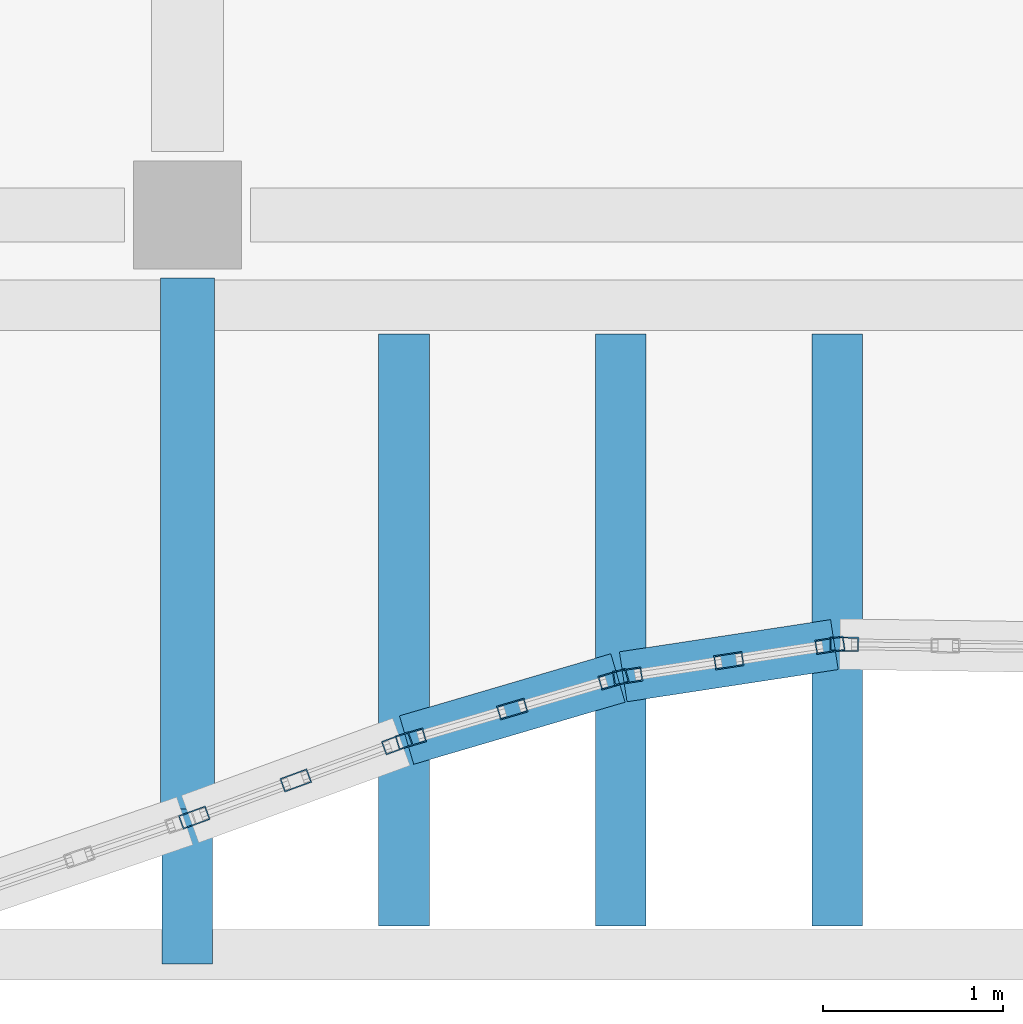
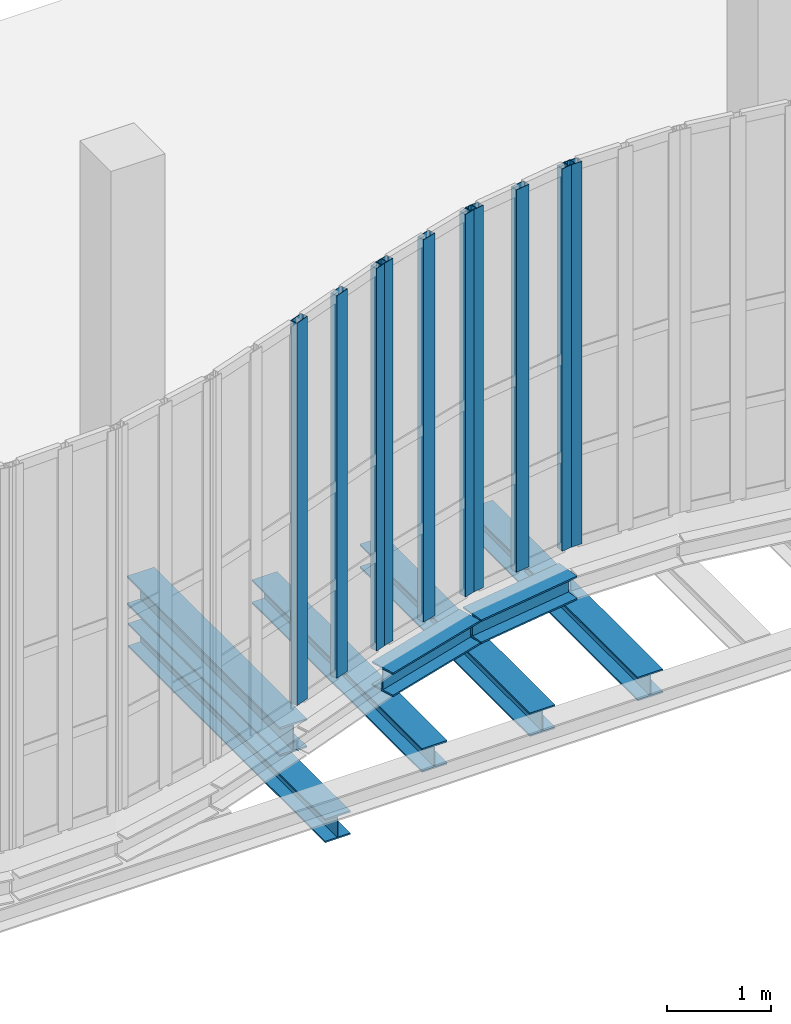
# One storey, part 25 of 105: 10 members, 7 beams, 4 elements without a shape of their own.
"""IFC4 building model written with IfcOpenShell, lengths in metres."""

from ifc_helpers import new_model, si_unit, direction, frame, origin, origin_2d, place, context, subcontext, project, spatial, hollow_rectangle, i_section, extrude, material, layer, layer_set, material_profile, profile_set, type_object, element, aggregate, save


model = new_model("IFC4")

# Units and contexts
model_context = context("Model", 3, precision=1e-05, world=origin(), true_north=direction((0.0, 1.0)))
body_context = subcontext(model_context, "Body", "Model", "MODEL_VIEW")
ifc_project = project(units=[si_unit("LENGTHUNIT", "METRE"), si_unit("AREAUNIT", "SQUARE_METRE"), si_unit("VOLUMEUNIT", "CUBIC_METRE"), si_unit("PLANEANGLEUNIT", "RADIAN"), si_unit("MASSUNIT", "GRAM", prefix="KILO"), si_unit("THERMODYNAMICTEMPERATUREUNIT", "KELVIN"), si_unit("POWERUNIT", "WATT")], contexts=[model_context])

# Site, building, storey
site_placement = place(None, origin())
site = spatial("IfcSite", under=ifc_project, at=site_placement, CompositionType="ELEMENT")
building_placement = place(site_placement, origin())
building = spatial("IfcBuilding", under=site, at=building_placement, Name="Kaldorven Railside Theatre", CompositionType="ELEMENT")
storey_placement = place(building_placement, frame((0.0, 0.0, 9.89990234375)))
storey = spatial("IfcBuildingStorey", under=building, at=storey_placement, Name="L02", CompositionType="ELEMENT", Elevation=9.89990234375)

# Beams
ifc_material_1 = material(Name="Steel S355", Category="steel")
ifc_material_profile_1 = material_profile(ifc_material_1, i_section(OverallWidth=0.280029296875, OverallDepth=0.280029296875, WebThickness=0.010498046875, FlangeThickness=0.01806640625, at=origin_2d()), Name="HEB 280")
ifc_profile_set_1 = profile_set([ifc_material_profile_1], Name="Steel S355")
beam_type_1 = type_object("IfcBeamType", Name="BM-HEB280", PredefinedType="SPANDREL", material=ifc_profile_set_1)
beam_1_placement = place(storey_placement, frame((80.0, 15.050048828125, -0.97998046875), z_axis=(0.0, 1.0, 0.0), x_axis=(-1.0, 0.0, 0.0)))
element("IfcBeam", 1, at=beam_1_placement, inside=storey, type_object=beam_type_1, Name="L02 Sinusoidal Lower Cantilever Girder FOB-K019", PredefinedType="SPANDREL", context=body_context, shape_type="SweptSolid", body=[
    extrude(i_section(OverallWidth=0.280029296875, OverallDepth=0.280029296875, WebThickness=0.010498046875, FlangeThickness=0.01806640625, at=origin_2d()), origin(), (0.0, 0.0, 1.0), 3.800048828125),
])
beam_2_placement = place(storey_placement, frame((81.21435546875, 16.28955078125, -0.419921875), z_axis=(0.959413259183, 0.282003897321, 0.0), x_axis=(-0.282003897321, 0.959413259183, 0.0)))
element("IfcBeam", 2, at=beam_2_placement, inside=storey, type_object=beam_type_1, Name="L02 Sinusoidal Flute Edge Spandrel FSB-110", PredefinedType="SPANDREL", context=body_context, shape_type="SweptSolid", body=[
    extrude(i_section(OverallWidth=0.280029296875, OverallDepth=0.280029296875, WebThickness=0.010498046875, FlangeThickness=0.01806640625, at=origin_2d()), origin(), (0.0, 0.0, 1.0), 1.220703125),
])
beam_3_placement = place(storey_placement, frame((81.199951171875, 15.260009765625, -0.699951171875), z_axis=(0.0, 1.0, 0.0), x_axis=(-1.0, 0.0, 0.0)))
element("IfcBeam", 3, at=beam_3_placement, inside=storey, type_object=beam_type_1, Name="L02 Sinusoidal Diaphragm Rib Outrigger FOB-M110", PredefinedType="SPANDREL", context=body_context, shape_type="SweptSolid", body=[
    extrude(i_section(OverallWidth=0.280029296875, OverallDepth=0.280029296875, WebThickness=0.010498046875, FlangeThickness=0.01806640625, at=origin_2d()), origin(), (0.0, 0.0, 1.0), 3.280029296875),
])
beam_4_placement = place(storey_placement, frame((82.414794921875, 16.640380859375, -0.419921875), z_axis=(0.988573454696, 0.150739923943, 0.0), x_axis=(-0.150739923943, 0.988573454696, 0.0)))
element("IfcBeam", 4, at=beam_4_placement, inside=storey, type_object=beam_type_1, Name="L02 Sinusoidal Flute Edge Spandrel FSB-111", PredefinedType="SPANDREL", context=body_context, shape_type="SweptSolid", body=[
    extrude(i_section(OverallWidth=0.280029296875, OverallDepth=0.280029296875, WebThickness=0.010498046875, FlangeThickness=0.01806640625, at=origin_2d()), origin(), (0.0, 0.0, 1.0), 1.183837890625),
])
for number, where, z_axis, x_axis, name in (
    (5, (82.39990234375, 15.260009765625, -0.699951171875), (0.0, 1.0, 0.0), (-1.0, 0.0, 0.0), "L02 Sinusoidal Diaphragm Rib Outrigger FOB-M111"),
    (6, (83.60009765625, 15.260009765625, -0.699951171875), (0.0, 1.0, 0.0), (-1.0, 0.0, 0.0), "L02 Sinusoidal Diaphragm Rib Outrigger FOB-M112"),
):
    element("IfcBeam", number, at=place(storey_placement, frame(where, z_axis=z_axis, x_axis=x_axis)), inside=storey, type_object=beam_type_1, Name=name, PredefinedType="SPANDREL", context=body_context, shape_type="SweptSolid", body=[
        extrude(i_section(OverallWidth=0.280029296875, OverallDepth=0.280029296875, WebThickness=0.010498046875, FlangeThickness=0.01806640625, at=origin_2d()), origin(), (0.0, 0.0, 1.0), 3.280029296875),
    ])
ifc_material_profile_2 = material_profile(ifc_material_1, i_section(OverallWidth=0.300048828125, OverallDepth=0.340087890625, WebThickness=0.011962890625, FlangeThickness=0.021484375, at=origin_2d()), Name="HEB 340")
ifc_profile_set_2 = profile_set([ifc_material_profile_2], Name="Steel S355")
beam_type_2 = type_object("IfcBeamType", Name="BM-HEB340", PredefinedType="SPANDREL", material=ifc_profile_set_2)
beam_5_placement = place(storey_placement, frame((80.0, 15.906494140625, -0.449951171875), z_axis=(0.0, 1.0, 0.0), x_axis=(-1.0, 0.0, 0.0)))
element("IfcBeam", 7, at=beam_5_placement, inside=storey, type_object=beam_type_2, Name="L02 Sinusoidal Veil Outrigger FOB-2080", PredefinedType="SPANDREL", context=body_context, shape_type="SweptSolid", body=[
    extrude(i_section(OverallWidth=0.300048828125, OverallDepth=0.340087890625, WebThickness=0.011962890625, FlangeThickness=0.021484375, at=origin_2d()), origin(), (0.0, 0.0, 1.0), 2.943603515625),
])

# Curtain wall, members
ifc_material_2 = material(Name="Low-E laminated solar-control glass", Category="glass")
ifc_layer_1 = layer(ifc_material_2, 0.159912109375, Name="Low-E laminated solar-control glass")
ifc_layer_set_1 = layer_set([ifc_layer_1], Name="Low-E laminated solar-control glass")
curtain_wall_type_1 = type_object("IfcCurtainWallType", Name="CWT-01", PredefinedType="USERDEFINED", material=ifc_layer_set_1)
curtain_wall_1_placement = place(storey_placement, origin())
curtain_wall_1 = element("IfcCurtainWall", 8, at=curtain_wall_1_placement, inside=storey, type_object=curtain_wall_type_1, Name="Sinusoidal Fluted Curtain Wall CW-L02-S37", ObjectType="FLUTED GLAZING", PredefinedType="USERDEFINED")
ifc_material_3 = material(Name="Anodised bronze aluminium", Category="aluminium")
ifc_material_profile_3 = material_profile(ifc_material_3, hollow_rectangle(XDim=0.080078125, YDim=0.159912109375, WallThickness=0.00634765625, at=origin_2d()), Name="RHS 160x80x6.3")
ifc_profile_set_3 = profile_set([ifc_material_profile_3], Name="Anodised bronze aluminium")
member_type = type_object("IfcMemberType", Name="CWM-160", PredefinedType="MULLION", material=ifc_profile_set_3)
member_1_placement = place(storey_placement, frame((80.03759765625, 15.860107421875, 0.0), z_axis=(0.0, 0.0, 1.0), x_axis=(-0.343495670631, 0.939154260097, 0.0)))
member_1 = element("IfcMember", 9, at=member_1_placement, type_object=member_type, Name="CW-L02-S37 mullion 1", PredefinedType="MULLION", context=body_context, shape_type="SweptSolid", body=[
    extrude(hollow_rectangle(XDim=0.080078125, YDim=0.159912109375, WallThickness=0.00634765625, at=origin_2d()), origin(), (0.0, 0.0, 1.0), 4.5),
])
member_2_placement = place(storey_placement, frame((80.60009765625, 16.06591796875, 0.0), z_axis=(0.0, 0.0, 1.0), x_axis=(-0.343495670631, 0.939154260097, 0.0)))
member_2 = element("IfcMember", 10, at=member_2_placement, type_object=member_type, Name="CW-L02-S37 mullion 2", PredefinedType="MULLION", context=body_context, shape_type="SweptSolid", body=[
    extrude(hollow_rectangle(XDim=0.080078125, YDim=0.159912109375, WallThickness=0.00634765625, at=origin_2d()), origin(), (0.0, 0.0, 1.0), 4.5),
])
member_3_placement = place(storey_placement, frame((81.162353515625, 16.271484375, 0.0), z_axis=(0.0, 0.0, 1.0), x_axis=(-0.343495670631, 0.939154260097, 0.0)))
member_3 = element("IfcMember", 11, at=member_3_placement, type_object=member_type, Name="CW-L02-S37 mullion 3", PredefinedType="MULLION", context=body_context, shape_type="SweptSolid", body=[
    extrude(hollow_rectangle(XDim=0.080078125, YDim=0.159912109375, WallThickness=0.00634765625, at=origin_2d()), origin(), (0.0, 0.0, 1.0), 4.5),
])
aggregate(curtain_wall_1, [member_1, member_2, member_3])

ifc_layer_2 = layer(ifc_material_2, 0.159912109375, Name="Low-E laminated solar-control glass")
ifc_layer_set_2 = layer_set([ifc_layer_2], Name="Low-E laminated solar-control glass")
curtain_wall_type_2 = type_object("IfcCurtainWallType", Name="CWT-04", PredefinedType="USERDEFINED", material=ifc_layer_set_2)
curtain_wall_2_placement = place(storey_placement, origin())
curtain_wall_2 = element("IfcCurtainWall", 12, at=curtain_wall_2_placement, inside=storey, type_object=curtain_wall_type_2, Name="Sinusoidal Fluted Curtain Wall CW-L02-S38", ObjectType="FLUTED GLAZING", PredefinedType="USERDEFINED")
member_4_placement = place(storey_placement, frame((81.23828125, 16.296630859375, 0.0), z_axis=(0.0, 0.0, 1.0), x_axis=(-0.281988847266, 0.959417682773, 0.0)))
member_4 = element("IfcMember", 13, at=member_4_placement, type_object=member_type, Name="CW-L02-S38 mullion 1", PredefinedType="MULLION", context=body_context, shape_type="SweptSolid", body=[
    extrude(hollow_rectangle(XDim=0.080078125, YDim=0.159912109375, WallThickness=0.00634765625, at=origin_2d()), origin(), (0.0, 0.0, 1.0), 4.5),
])
member_5_placement = place(storey_placement, frame((81.800048828125, 16.461669921875, 0.0), z_axis=(0.0, 0.0, 1.0), x_axis=(-0.281988847266, 0.959417682773, 0.0)))
member_5 = element("IfcMember", 14, at=member_5_placement, type_object=member_type, Name="CW-L02-S38 mullion 2", PredefinedType="MULLION", context=body_context, shape_type="SweptSolid", body=[
    extrude(hollow_rectangle(XDim=0.080078125, YDim=0.159912109375, WallThickness=0.00634765625, at=origin_2d()), origin(), (0.0, 0.0, 1.0), 4.5),
])
member_6_placement = place(storey_placement, frame((82.361572265625, 16.626708984375, 0.0), z_axis=(0.0, 0.0, 1.0), x_axis=(-0.281988847266, 0.959417682773, 0.0)))
member_6 = element("IfcMember", 15, at=member_6_placement, type_object=member_type, Name="CW-L02-S38 mullion 3", PredefinedType="MULLION", context=body_context, shape_type="SweptSolid", body=[
    extrude(hollow_rectangle(XDim=0.080078125, YDim=0.159912109375, WallThickness=0.00634765625, at=origin_2d()), origin(), (0.0, 0.0, 1.0), 4.5),
])
aggregate(curtain_wall_2, [member_4, member_5, member_6])

ifc_layer_3 = layer(ifc_material_2, 0.159912109375, Name="Low-E laminated solar-control glass")
ifc_layer_set_3 = layer_set([ifc_layer_3], Name="Low-E laminated solar-control glass")
curtain_wall_type_3 = type_object("IfcCurtainWallType", Name="CWT-07", PredefinedType="USERDEFINED", material=ifc_layer_set_3)
curtain_wall_3_placement = place(storey_placement, origin())
curtain_wall_3 = element("IfcCurtainWall", 16, at=curtain_wall_3_placement, inside=storey, type_object=curtain_wall_type_3, Name="Sinusoidal Fluted Curtain Wall CW-L02-S39", ObjectType="FLUTED GLAZING", PredefinedType="USERDEFINED")
member_7_placement = place(storey_placement, frame((82.439453125, 16.64404296875, 0.0), z_axis=(0.0, 0.0, 1.0), x_axis=(-0.150918064648, 0.988546274973, 0.0)))
member_7 = element("IfcMember", 17, at=member_7_placement, type_object=member_type, Name="CW-L02-S39 mullion 1", PredefinedType="MULLION", context=body_context, shape_type="SweptSolid", body=[
    extrude(hollow_rectangle(XDim=0.080078125, YDim=0.159912109375, WallThickness=0.00634765625, at=origin_2d()), origin(), (0.0, 0.0, 1.0), 4.5),
])
member_8_placement = place(storey_placement, frame((83.0, 16.7294921875, 0.0), z_axis=(0.0, 0.0, 1.0), x_axis=(-0.150918064648, 0.988546274973, 0.0)))
member_8 = element("IfcMember", 18, at=member_8_placement, type_object=member_type, Name="CW-L02-S39 mullion 2", PredefinedType="MULLION", context=body_context, shape_type="SweptSolid", body=[
    extrude(hollow_rectangle(XDim=0.080078125, YDim=0.159912109375, WallThickness=0.00634765625, at=origin_2d()), origin(), (0.0, 0.0, 1.0), 4.5),
])
member_9_placement = place(storey_placement, frame((83.560546875, 16.815185546875, 0.0), z_axis=(0.0, 0.0, 1.0), x_axis=(-0.150918064648, 0.988546274973, 0.0)))
member_9 = element("IfcMember", 19, at=member_9_placement, type_object=member_type, Name="CW-L02-S39 mullion 3", PredefinedType="MULLION", context=body_context, shape_type="SweptSolid", body=[
    extrude(hollow_rectangle(XDim=0.080078125, YDim=0.159912109375, WallThickness=0.00634765625, at=origin_2d()), origin(), (0.0, 0.0, 1.0), 4.5),
])
aggregate(curtain_wall_3, [member_7, member_8, member_9])

# Curtain wall, member
ifc_layer_4 = layer(ifc_material_2, 0.159912109375, Name="Low-E laminated solar-control glass")
ifc_layer_set_4 = layer_set([ifc_layer_4], Name="Low-E laminated solar-control glass")
curtain_wall_type_4 = type_object("IfcCurtainWallType", Name="CWT-03", PredefinedType="USERDEFINED", material=ifc_layer_set_4)
curtain_wall_4_placement = place(storey_placement, origin())
curtain_wall_4 = element("IfcCurtainWall", 20, at=curtain_wall_4_placement, inside=storey, type_object=curtain_wall_type_4, Name="Sinusoidal Fluted Curtain Wall CW-L02-S40", ObjectType="FLUTED GLAZING", PredefinedType="USERDEFINED")
member_10_placement = place(storey_placement, frame((83.639892578125, 16.820556640625, 0.0), z_axis=(0.0, 0.0, 1.0), x_axis=(0.013832009936, 0.999904333174, 0.0)))
member_10 = element("IfcMember", 21, at=member_10_placement, type_object=member_type, Name="CW-L02-S40 mullion 1", PredefinedType="MULLION", context=body_context, shape_type="SweptSolid", body=[
    extrude(hollow_rectangle(XDim=0.080078125, YDim=0.159912109375, WallThickness=0.00634765625, at=origin_2d()), origin(), (0.0, 0.0, 1.0), 4.5),
])
aggregate(curtain_wall_4, [member_10])

save(model, "model.ifc")
